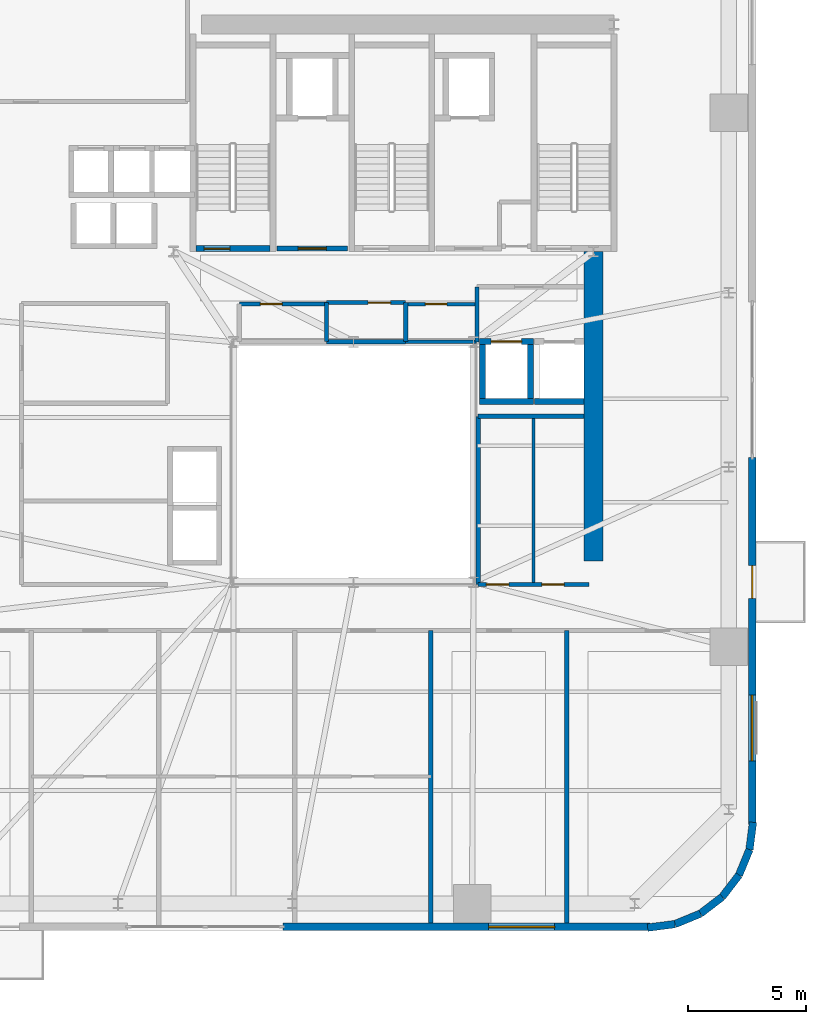
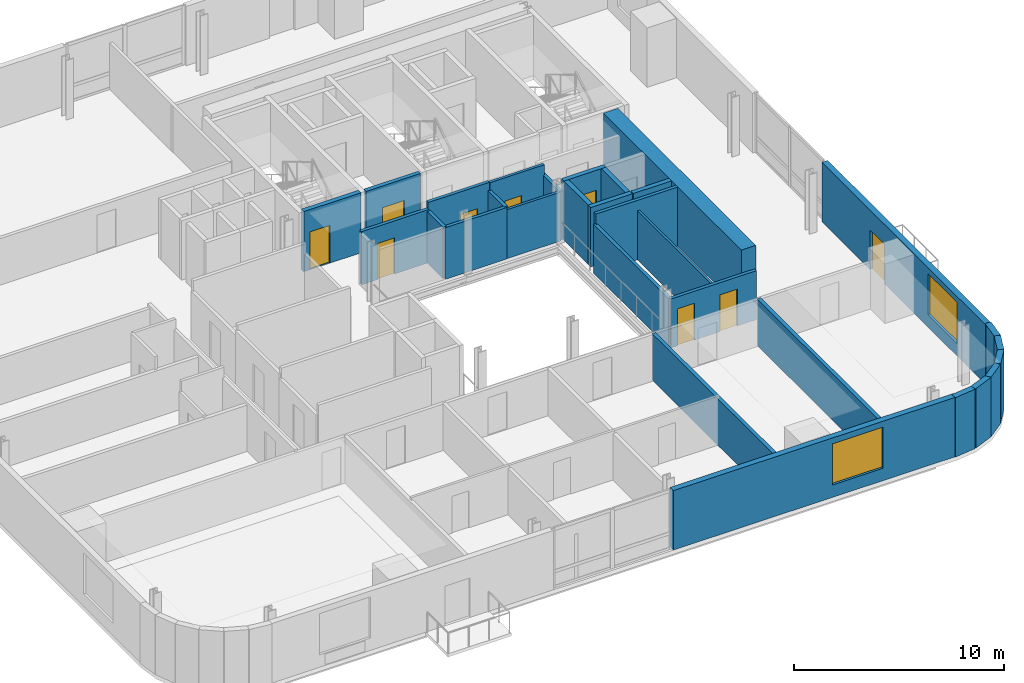
# One storey, part 7 of 14: 30 walls, 9 doors, 2 windows, 11 openings.
"""IFC4 building model written with IfcOpenShell, lengths in metres."""

from ifc_helpers import new_model, si_unit, direction, frame, frame_2d, origin, place, context, subcontext, project, spatial, rectangle, extrude, source, transform, mapped, material, layer, layer_set, type_object, element, fill, save


model = new_model("IFC4")

# Units and contexts
model_context = context("Model", 3, precision=1e-05, world=origin(), true_north=direction((0.0, 1.0)))
body_context = subcontext(model_context, "Body", "Model", "MODEL_VIEW")
ifc_project = project(units=[si_unit("LENGTHUNIT", "METRE"), si_unit("AREAUNIT", "SQUARE_METRE"), si_unit("VOLUMEUNIT", "CUBIC_METRE"), si_unit("PLANEANGLEUNIT", "RADIAN"), si_unit("MASSUNIT", "GRAM", prefix="KILO")], contexts=[model_context])

# Site, building, storey
site_placement = place(None, origin())
site = spatial("IfcSite", under=ifc_project, at=site_placement, CompositionType="ELEMENT")
building_placement = place(site_placement, origin())
building = spatial("IfcBuilding", under=site, at=building_placement, Name="Vardaveli Station Tower", CompositionType="ELEMENT")
storey_placement = place(building_placement, frame((0.0, 0.0, 148.300048828125)))
storey = spatial("IfcBuildingStorey", under=building, at=storey_placement, Name="L38", CompositionType="ELEMENT", Elevation=148.300048828125)

# Wall
ifc_material_1 = material(Name="Concrete C50/60", Category="concrete")
ifc_layer_1 = layer(ifc_material_1, 0.800048828125, Name="Concrete C50/60")
ifc_layer_set_1 = layer_set([ifc_layer_1], Name="Concrete C50/60")
wall_type_1 = type_object("IfcWallType", Name="WAL-CORE-800", PredefinedType="SHEAR", material=ifc_layer_set_1)
shared_shape_1 = source(origin(), body_context, "Body", "SweptSolid", [
    extrude(rectangle(XDim=13.14990234375, YDim=0.800048828125, at=frame_2d((6.574951171875, 0.0))), origin(), (0.0, 0.0, 1.0), 3.4599609375),
])
wall_1_placement = place(storey_placement, frame((46.5, 17.5, 0.0), z_axis=(0.0, 0.0, 1.0), x_axis=(0.0, 1.0, 0.0)))
element("IfcWall", 1, at=wall_1_placement, inside=storey, type_object=wall_type_1, Name="SW-L38-EAST2", PredefinedType="SHEAR", context=body_context, shape_type="MappedRepresentation", body=[
    mapped(shared_shape_1, transform((0.0, 0.0, 0.0), scale=1.0)),
])

# Wall, opening, window
ifc_material_2 = material(Name="Precast concrete C45/55", Category="concrete")
ifc_layer_2 = layer(ifc_material_2, 0.320068359375, Name="Precast concrete C45/55")
ifc_layer_set_2 = layer_set([ifc_layer_2], Name="Precast concrete C45/55")
wall_type_2 = type_object("IfcWallType", Name="WAL-EXT-STONE-320", PredefinedType="SOLIDWALL", material=ifc_layer_set_2)
shared_shape_2 = source(origin(), body_context, "Body", "SweptSolid", [
    extrude(rectangle(XDim=15.599853515625, YDim=0.320068359375, at=frame_2d((7.7998046875, 0.0))), origin(), (0.0, 0.0, 1.0), 3.4599609375),
])
wall_2_placement = place(storey_placement, frame((33.300048828125, 1.9599609375, 0.0), z_axis=(0.0, 0.0, 1.0), x_axis=(1.0, 0.0, 0.0)))
wall_2 = element("IfcWall", 2, at=wall_2_placement, inside=storey, type_object=wall_type_2, Name="EW-L38-S2", PredefinedType="SOLIDWALL", context=body_context, shape_type="MappedRepresentation", body=[
    mapped(shared_shape_2, transform((0.0, 0.0, 0.0), scale=1.0)),
])
shared_shape_3 = source(origin(), body_context, "Body", "SweptSolid", [
    extrude(rectangle(XDim=2.800048828125, YDim=2.39990234375, at=frame_2d((1.39990234375, 1.199951171875))), frame((0.0, 0.169921875, 0.0), z_axis=(0.0, -1.0, 0.0), x_axis=(1.0, 0.0, 0.0)), (0.0, 0.0, 1.0), 0.340087890625),
])
opening_1_placement = place(wall_2_placement, frame((8.7451171875, 0.0, 0.719970703125)))
opening_1 = element("IfcOpeningElement", 3, at=opening_1_placement, cuts=wall_2, Name="Opening W-04", PredefinedType="OPENING", context=body_context, shape_type="MappedRepresentation", body=[
    mapped(shared_shape_3, transform((0.0, 0.0, 0.0), scale=1.0)),
])
ifc_material_3 = material(Name="Low-E solar-control glass", Category="glass")
window_type = type_object("IfcWindowType", Name="WIN-SUITE-2800x2400", PartitioningType="SINGLE_PANEL", PredefinedType="WINDOW", material=ifc_material_3)
shared_shape_4 = source(origin(), body_context, "Body", "SweptSolid", [
    extrude(rectangle(XDim=2.800048828125, YDim=2.39990234375, at=frame_2d((1.39990234375, 1.199951171875))), frame((0.0, 0.030029296875, 0.0), z_axis=(0.0, -1.0, 0.0), x_axis=(1.0, 0.0, 0.0)), (0.0, 0.0, 1.0), 0.06005859375),
])
window_1_placement = place(opening_1_placement, origin())
window_1 = element("IfcWindow", 4, at=window_1_placement, inside=storey, type_object=window_type, Name="WN-L38-S2", OverallHeight=2.39990234375, OverallWidth=2.800048828125, PartitioningType="SINGLE_PANEL", PredefinedType="WINDOW", context=body_context, shape_type="MappedRepresentation", body=[
    mapped(shared_shape_4, transform((0.0, 0.0, 0.0), scale=1.0)),
])
fill(opening_1, window_1)

# Wall, openings, door, window
wall_3_placement = place(storey_placement, frame((53.239990234375, 6.300048828125, 0.0), z_axis=(0.0, 0.0, 1.0), x_axis=(0.0, 1.0, 0.0)))
wall_3 = element("IfcWall", 5, at=wall_3_placement, inside=storey, type_object=wall_type_2, Name="EW-L38-E1", PredefinedType="SOLIDWALL", context=body_context, shape_type="MappedRepresentation", body=[
    mapped(shared_shape_2, transform((0.0, 0.0, 0.0), scale=1.0)),
])
shared_shape_5 = source(origin(), body_context, "Body", "SweptSolid", [
    extrude(rectangle(XDim=1.39990234375, YDim=2.300048828125, at=frame_2d((0.699951171875, 1.14990234375))), frame((0.0, 0.169921875, 0.0), z_axis=(0.0, -1.0, 0.0), x_axis=(1.0, 0.0, 0.0)), (0.0, 0.0, 1.0), 0.340087890625),
])
opening_2_placement = place(wall_3_placement, frame((9.6103515625, 0.0, 0.0)))
opening_2 = element("IfcOpeningElement", 6, at=opening_2_placement, cuts=wall_3, Name="Opening D-09", PredefinedType="OPENING", context=body_context, shape_type="MappedRepresentation", body=[
    mapped(shared_shape_5, transform((0.0, 0.0, 0.0), scale=1.0)),
])
opening_3_placement = place(wall_3_placement, frame((2.705078125, 0.0, 0.719970703125)))
opening_3 = element("IfcOpeningElement", 7, at=opening_3_placement, cuts=wall_3, Name="Opening W-04", PredefinedType="OPENING", context=body_context, shape_type="MappedRepresentation", body=[
    mapped(shared_shape_3, transform((0.0, 0.0, 0.0), scale=1.0)),
])
ifc_material_4 = material(Name="Thermally broken aluminium glass", Category="aluminium")
door_type_1 = type_object("IfcDoorType", Name="DR-LOG-1400x2300", OperationType="DOUBLE_DOOR_SLIDING", PredefinedType="DOOR", material=ifc_material_4)
shared_shape_6 = source(origin(), body_context, "Body", "SweptSolid", [
    extrude(rectangle(XDim=1.39990234375, YDim=2.300048828125, at=frame_2d((0.699951171875, 1.14990234375))), frame((0.0, 0.02490234375, 0.0), z_axis=(0.0, -1.0, 0.0), x_axis=(1.0, 0.0, 0.0)), (0.0, 0.0, 1.0), 0.050048828125),
])
door_1_placement = place(opening_2_placement, frame((1.39990234375, 0.0, 0.0), z_axis=(0.0, 0.0, 1.0), x_axis=(-1.0, 0.0, 0.0)))
door_1 = element("IfcDoor", 8, at=door_1_placement, inside=storey, type_object=door_type_1, Name="DLG-L38-E", OperationType="DOUBLE_DOOR_SLIDING", OverallHeight=2.300048828125, OverallWidth=1.39990234375, PredefinedType="DOOR", context=body_context, shape_type="MappedRepresentation", body=[
    mapped(shared_shape_6, transform((0.0, 0.0, 0.0), scale=1.0)),
])
fill(opening_2, door_1)
window_2_placement = place(opening_3_placement, origin())
window_2 = element("IfcWindow", 9, at=window_2_placement, inside=storey, type_object=window_type, Name="WN-L38-E1", OverallHeight=2.39990234375, OverallWidth=2.800048828125, PartitioningType="SINGLE_PANEL", PredefinedType="WINDOW", context=body_context, shape_type="MappedRepresentation", body=[
    mapped(shared_shape_4, transform((0.0, 0.0, 0.0), scale=1.0)),
])
fill(opening_3, window_2)

# Walls
shared_shape_7 = source(origin(), body_context, "Body", "SweptSolid", [
    extrude(rectangle(XDim=1.170654296875, YDim=0.320068359375, at=frame_2d((0.58544921875, 0.0))), origin(), (0.0, 0.0, 1.0), 3.4599609375),
])
wall_4_placement = place(storey_placement, frame((53.12548828125, 5.23974609375, 0.0), z_axis=(0.0, 0.0, 1.0), x_axis=(0.128269133229, 0.991739395941, 0.0)))
element("IfcWall", 10, at=wall_4_placement, inside=storey, type_object=wall_type_2, Name="EW-L38-CR2-6", PredefinedType="SOLIDWALL", context=body_context, shape_type="MappedRepresentation", body=[
    mapped(shared_shape_7, transform((0.0, 0.0, 0.0), scale=1.0)),
])
shared_shape_8 = source(origin(), body_context, "Body", "SweptSolid", [
    extrude(rectangle(XDim=1.1689453125, YDim=0.320068359375, at=frame_2d((0.58447265625, 0.0))), origin(), (0.0, 0.0, 1.0), 3.4599609375),
])
for number, where, z_axis, x_axis, name in (
    (11, (51.96875, 3.231201171875, 0.0), (0.0, 0.0, 1.0), (0.608387696831, 0.793639975269, 0.0), "EW-L38-CR2-4"),
    (12, (52.679931640625, 4.158935546875, 0.0), (0.0, 0.0, 1.0), (0.381127904695, 0.924522320046, 0.0), "EW-L38-CR2-5"),
):
    element("IfcWall", number, at=place(storey_placement, frame(where, z_axis=z_axis, x_axis=x_axis)), inside=storey, type_object=wall_type_2, Name=name, PredefinedType="SOLIDWALL", context=body_context, shape_type="MappedRepresentation", body=[
        mapped(shared_shape_8, transform((0.0, 0.0, 0.0), scale=1.0)),
    ])
shared_shape_9 = source(origin(), body_context, "Body", "SweptSolid", [
    extrude(rectangle(XDim=1.168701171875, YDim=0.320068359375, at=frame_2d((0.58447265625, 0.0))), origin(), (0.0, 0.0, 1.0), 3.4599609375),
])
wall_5_placement = place(storey_placement, frame((51.041259765625, 2.520263671875, 0.0), z_axis=(0.0, 0.0, 1.0), x_axis=(0.793663520347, 0.608356981114, 0.0)))
element("IfcWall", 13, at=wall_5_placement, inside=storey, type_object=wall_type_2, Name="EW-L38-CR2-3", PredefinedType="SOLIDWALL", context=body_context, shape_type="MappedRepresentation", body=[
    mapped(shared_shape_9, transform((0.0, 0.0, 0.0), scale=1.0)),
])
shared_shape_10 = source(origin(), body_context, "Body", "SweptSolid", [
    extrude(rectangle(XDim=1.16943359375, YDim=0.320068359375, at=frame_2d((0.584716796875, 0.0))), origin(), (0.0, 0.0, 1.0), 3.4599609375),
])
wall_6_placement = place(storey_placement, frame((49.960205078125, 2.074462890625, 0.0), z_axis=(0.0, 0.0, 1.0), x_axis=(0.924479075121, 0.381232789334, 0.0)))
element("IfcWall", 14, at=wall_6_placement, inside=storey, type_object=wall_type_2, Name="EW-L38-CR2-2", PredefinedType="SOLIDWALL", context=body_context, shape_type="MappedRepresentation", body=[
    mapped(shared_shape_10, transform((0.0, 0.0, 0.0), scale=1.0)),
])
shared_shape_11 = source(origin(), body_context, "Body", "SweptSolid", [
    extrude(rectangle(XDim=1.170166015625, YDim=0.320068359375, at=frame_2d((0.5849609375, 0.0))), origin(), (0.0, 0.0, 1.0), 3.4599609375),
])
wall_7_placement = place(storey_placement, frame((48.799560546875, 1.924560546875, 0.0), z_axis=(0.0, 0.0, 1.0), x_axis=(0.991762485493, 0.128090485085, 0.0)))
element("IfcWall", 15, at=wall_7_placement, inside=storey, type_object=wall_type_2, Name="EW-L38-CR2-1", PredefinedType="SOLIDWALL", context=body_context, shape_type="MappedRepresentation", body=[
    mapped(shared_shape_11, transform((0.0, 0.0, 0.0), scale=1.0)),
])

# Wall, opening, door
ifc_material_5 = material(Name="Concrete C40/50", Category="concrete")
ifc_layer_3 = layer(ifc_material_5, 0.25, Name="Concrete C40/50")
ifc_layer_set_3 = layer_set([ifc_layer_3], Name="Concrete C40/50")
wall_type_3 = type_object("IfcWallType", Name="WAL-SHAFT-250", PredefinedType="SOLIDWALL", material=ifc_layer_set_3)
shared_shape_12 = source(origin(), body_context, "Body", "SweptSolid", [
    extrude(rectangle(XDim=3.14990234375, YDim=0.25, at=frame_2d((1.574951171875, 0.0))), origin(), (0.0, 0.0, 1.0), 3.5),
])
wall_8_placement = place(storey_placement, frame((29.60009765625, 30.77490234375, 0.0), z_axis=(0.0, 0.0, 1.0), x_axis=(1.0, 0.0, 0.0)))
wall_8 = element("IfcWall", 16, at=wall_8_placement, inside=storey, type_object=wall_type_3, Name="W-L38-ST-1S", PredefinedType="SOLIDWALL", context=body_context, shape_type="MappedRepresentation", body=[
    mapped(shared_shape_12, transform((0.0, 0.0, 0.0), scale=1.0)),
])
shared_shape_13 = source(origin(), body_context, "Body", "SweptSolid", [
    extrude(rectangle(XDim=1.10009765625, YDim=2.199951171875, at=frame_2d((0.550048828125, 1.10009765625))), frame((0.0, 0.135009765625, 0.0), z_axis=(0.0, -1.0, 0.0), x_axis=(1.0, 0.0, 0.0)), (0.0, 0.0, 1.0), 0.27001953125),
])
opening_4_placement = place(wall_8_placement, frame((0.35009765625, 0.0, 0.0)))
opening_4 = element("IfcOpeningElement", 17, at=opening_4_placement, cuts=wall_8, Name="Opening D-04", PredefinedType="OPENING", context=body_context, shape_type="MappedRepresentation", body=[
    mapped(shared_shape_13, transform((0.0, 0.0, 0.0), scale=1.0)),
])
ifc_material_6 = material(Name="Steel smokeproof fire doorset", Category="steel")
door_type_2 = type_object("IfcDoorType", Name="DR-ST-1100x2200", OperationType="NOTDEFINED", PredefinedType="DOOR", material=ifc_material_6)
shared_shape_14 = source(origin(), body_context, "Body", "SweptSolid", [
    extrude(rectangle(XDim=1.10009765625, YDim=2.199951171875, at=frame_2d((0.550048828125, 1.10009765625))), frame((0.0, 0.02490234375, 0.0), z_axis=(0.0, -1.0, 0.0), x_axis=(1.0, 0.0, 0.0)), (0.0, 0.0, 1.0), 0.050048828125),
])
door_2_placement = place(opening_4_placement, origin())
door_2 = element("IfcDoor", 18, at=door_2_placement, inside=storey, type_object=door_type_2, Name="DST-1-L38", OperationType="SINGLE_SWING_LEFT", OverallHeight=2.199951171875, OverallWidth=1.10009765625, PredefinedType="DOOR", context=body_context, shape_type="MappedRepresentation", body=[
    mapped(shared_shape_14, transform((0.0, 0.0, 0.0), scale=1.0)),
])
fill(opening_4, door_2)

ifc_layer_4 = layer(ifc_material_5, 0.219970703125, Name="Concrete C40/50")
ifc_layer_set_4 = layer_set([ifc_layer_4], Name="Concrete C40/50")
wall_type_4 = type_object("IfcWallType", Name="WAL-FFLOBBY-220", PredefinedType="SOLIDWALL", material=ifc_layer_set_4)
shared_shape_15 = source(origin(), body_context, "Body", "SweptSolid", [
    extrude(rectangle(XDim=3.0, YDim=0.219970703125, at=frame_2d((1.5, 0.0))), origin(), (0.0, 0.0, 1.0), 3.4599609375),
])
wall_9_placement = place(storey_placement, frame((33.050048828125, 30.780029296875, 0.0), z_axis=(0.0, 0.0, 1.0), x_axis=(1.0, 0.0, 0.0)))
wall_9 = element("IfcWall", 19, at=wall_9_placement, inside=storey, type_object=wall_type_4, Name="W-L38-FFL1S", PredefinedType="SOLIDWALL", context=body_context, shape_type="MappedRepresentation", body=[
    mapped(shared_shape_15, transform((0.0, 0.0, 0.0), scale=1.0)),
])
shared_shape_16 = source(origin(), body_context, "Body", "SweptSolid", [
    extrude(rectangle(XDim=1.199951171875, YDim=2.199951171875, at=frame_2d((0.60009765625, 1.10009765625))), frame((0.0, 0.1201171875, 0.0), z_axis=(0.0, -1.0, 0.0), x_axis=(1.0, 0.0, 0.0)), (0.0, 0.0, 1.0), 0.239990234375),
])
opening_5_placement = place(wall_9_placement, frame((0.89990234375, 0.0, 0.0)))
opening_5 = element("IfcOpeningElement", 20, at=opening_5_placement, cuts=wall_9, Name="Opening D-03", PredefinedType="OPENING", context=body_context, shape_type="MappedRepresentation", body=[
    mapped(shared_shape_16, transform((0.0, 0.0, 0.0), scale=1.0)),
])
door_type_3 = type_object("IfcDoorType", Name="DR-FFL-1200x2200", OperationType="NOTDEFINED", PredefinedType="DOOR", material=ifc_material_6)
shared_shape_17 = source(origin(), body_context, "Body", "SweptSolid", [
    extrude(rectangle(XDim=1.199951171875, YDim=2.199951171875, at=frame_2d((0.60009765625, 1.10009765625))), frame((0.0, 0.02490234375, 0.0), z_axis=(0.0, -1.0, 0.0), x_axis=(1.0, 0.0, 0.0)), (0.0, 0.0, 1.0), 0.050048828125),
])
door_3_placement = place(opening_5_placement, origin())
door_3 = element("IfcDoor", 21, at=door_3_placement, inside=storey, type_object=door_type_3, Name="DFFL1-L38", OperationType="SINGLE_SWING_LEFT", OverallHeight=2.199951171875, OverallWidth=1.199951171875, PredefinedType="DOOR", context=body_context, shape_type="MappedRepresentation", body=[
    mapped(shared_shape_17, transform((0.0, 0.0, 0.0), scale=1.0)),
])
fill(opening_5, door_3)

# Wall
shared_shape_18 = source(origin(), body_context, "Body", "SweptSolid", [
    extrude(rectangle(XDim=2.300048828125, YDim=0.25, at=frame_2d((1.14990234375, 0.0))), origin(), (0.0, 0.0, 1.0), 3.4599609375),
])
wall_10_placement = place(storey_placement, frame((41.64990234375, 24.27490234375, 0.0), z_axis=(0.0, 0.0, 1.0), x_axis=(1.0, 0.0, 0.0)))
element("IfcWall", 22, at=wall_10_placement, inside=storey, type_object=wall_type_3, Name="SHW-SRV-01-L38-S", PredefinedType="SOLIDWALL", context=body_context, shape_type="MappedRepresentation", body=[
    mapped(shared_shape_18, transform((0.0, 0.0, 0.0), scale=1.0)),
])

# Wall, opening, door
wall_11_placement = place(storey_placement, frame((41.64990234375, 26.824951171875, 0.0), z_axis=(0.0, 0.0, 1.0), x_axis=(1.0, 0.0, 0.0)))
wall_11 = element("IfcWall", 23, at=wall_11_placement, inside=storey, type_object=wall_type_3, Name="SHW-SRV-01-L38-N", PredefinedType="SOLIDWALL", context=body_context, shape_type="MappedRepresentation", body=[
    mapped(shared_shape_18, transform((0.0, 0.0, 0.0), scale=1.0)),
])
shared_shape_19 = source(origin(), body_context, "Body", "SweptSolid", [
    extrude(rectangle(XDim=1.300048828125, YDim=2.300048828125, at=frame_2d((0.64990234375, 1.14990234375))), frame((0.0, 0.135009765625, 0.0), z_axis=(0.0, -1.0, 0.0), x_axis=(1.0, 0.0, 0.0)), (0.0, 0.0, 1.0), 0.27001953125),
])
opening_6_placement = place(wall_11_placement, frame((0.5, 0.0, 0.0)))
opening_6 = element("IfcOpeningElement", 24, at=opening_6_placement, cuts=wall_11, Name="Opening LD-03", PredefinedType="OPENING", context=body_context, shape_type="MappedRepresentation", body=[
    mapped(shared_shape_19, transform((0.0, 0.0, 0.0), scale=1.0)),
])
ifc_material_7 = material(Name="Brushed stainless steel", Category="steel")
door_type_4 = type_object("IfcDoorType", Name="DR-LD-1300x2300", OperationType="DOUBLE_DOOR_SLIDING", PredefinedType="DOOR", material=ifc_material_7)
shared_shape_20 = source(origin(), body_context, "Body", "SweptSolid", [
    extrude(rectangle(XDim=1.300048828125, YDim=2.300048828125, at=frame_2d((0.64990234375, 1.14990234375))), frame((0.0, 0.02490234375, 0.0), z_axis=(0.0, -1.0, 0.0), x_axis=(1.0, 0.0, 0.0)), (0.0, 0.0, 1.0), 0.050048828125),
])
door_4_placement = place(opening_6_placement, origin())
door_4 = element("IfcDoor", 25, at=door_4_placement, inside=storey, type_object=door_type_4, Name="LD-SRV-01-L38", OperationType="DOUBLE_DOOR_SLIDING", OverallHeight=2.300048828125, OverallWidth=1.300048828125, PredefinedType="DOOR", context=body_context, shape_type="MappedRepresentation", body=[
    mapped(shared_shape_20, transform((0.0, 0.0, 0.0), scale=1.0)),
])
fill(opening_6, door_4)

# Walls
for number, where, z_axis, x_axis, name in (
    (26, (41.77490234375, 24.39990234375, 0.0), (0.0, 0.0, 1.0), (0.0, 1.0, 0.0), "SHW-SRV-01-L38-W"),
    (27, (43.824951171875, 24.39990234375, 0.0), (0.0, 0.0, 1.0), (0.0, 1.0, 0.0), "SHW-SRV-01-L38-E"),
):
    element("IfcWall", number, at=place(storey_placement, frame(where, z_axis=z_axis, x_axis=x_axis)), inside=storey, type_object=wall_type_3, Name=name, PredefinedType="SOLIDWALL", context=body_context, shape_type="MappedRepresentation", body=[
        mapped(shared_shape_18, transform((0.0, 0.0, 0.0), scale=1.0)),
    ])
shared_shape_21 = source(origin(), body_context, "Body", "SweptSolid", [
    extrude(rectangle(XDim=2.10009765625, YDim=0.25, at=frame_2d((1.050048828125, 0.0))), origin(), (0.0, 0.0, 1.0), 3.4599609375),
])
wall_12_placement = place(storey_placement, frame((44.0, 24.27490234375, 0.0), z_axis=(0.0, 0.0, 1.0), x_axis=(1.0, 0.0, 0.0)))
element("IfcWall", 28, at=wall_12_placement, inside=storey, type_object=wall_type_3, Name="SHW-SRV-02-L38-S", PredefinedType="SOLIDWALL", context=body_context, shape_type="MappedRepresentation", body=[
    mapped(shared_shape_21, transform((0.0, 0.0, 0.0), scale=1.0)),
])

# Wall, openings, doors
ifc_material_8 = material(Name="Fire-rated gypsum stud partition")
ifc_layer_5 = layer(ifc_material_8, 0.179931640625, Name="Fire-rated gypsum stud partition")
ifc_layer_set_5 = layer_set([ifc_layer_5], Name="Fire-rated gypsum stud partition")
wall_type_5 = type_object("IfcWallType", Name="WAL-CORR-180", PredefinedType="PARTITIONING", material=ifc_layer_set_5)
shared_shape_22 = source(origin(), body_context, "Body", "SweptSolid", [
    extrude(rectangle(XDim=4.699951171875, YDim=0.179931640625, at=frame_2d((2.35009765625, 0.0))), origin(), (0.0, 0.0, 1.0), 2.85205078125),
])
wall_13_placement = place(storey_placement, frame((41.60009765625, 16.5, 0.0), z_axis=(0.0, 0.0, 1.0), x_axis=(1.0, 0.0, 0.0)))
wall_13 = element("IfcWall", 29, at=wall_13_placement, inside=storey, type_object=wall_type_5, Name="W-L38-ATE-S", PredefinedType="PARTITIONING", context=body_context, shape_type="MappedRepresentation", body=[
    mapped(shared_shape_22, transform((0.0, 0.0, 0.0), scale=1.0)),
])
shared_shape_23 = source(origin(), body_context, "Body", "SweptSolid", [
    extrude(rectangle(XDim=0.949951171875, YDim=2.14990234375, at=frame_2d((0.47509765625, 1.074951171875))), frame((0.0, 0.10009765625, 0.0), z_axis=(0.0, -1.0, 0.0), x_axis=(1.0, 0.0, 0.0)), (0.0, 0.0, 1.0), 0.199951171875),
])
opening_7_placement = place(wall_13_placement, frame((0.35009765625, 0.0, 0.0)))
opening_7 = element("IfcOpeningElement", 30, at=opening_7_placement, cuts=wall_13, Name="Opening D-11", PredefinedType="OPENING", context=body_context, shape_type="MappedRepresentation", body=[
    mapped(shared_shape_23, transform((0.0, 0.0, 0.0), scale=1.0)),
])
opening_8_placement = place(wall_13_placement, frame((2.699951171875, 0.0, 0.0)))
opening_8 = element("IfcOpeningElement", 31, at=opening_8_placement, cuts=wall_13, Name="Opening D-11", PredefinedType="OPENING", context=body_context, shape_type="MappedRepresentation", body=[
    mapped(shared_shape_23, transform((0.0, 0.0, 0.0), scale=1.0)),
])
ifc_material_9 = material(Name="Oak veneer internal suite door")
door_type_5 = type_object("IfcDoorType", Name="DR-INT-950x2150", OperationType="NOTDEFINED", PredefinedType="DOOR", material=ifc_material_9)
shared_shape_24 = source(origin(), body_context, "Body", "SweptSolid", [
    extrude(rectangle(XDim=0.949951171875, YDim=2.14990234375, at=frame_2d((0.47509765625, 1.074951171875))), frame((0.0, 0.02490234375, 0.0), z_axis=(0.0, -1.0, 0.0), x_axis=(1.0, 0.0, 0.0)), (0.0, 0.0, 1.0), 0.050048828125),
])
door_5_placement = place(opening_7_placement, origin())
door_5 = element("IfcDoor", 32, at=door_5_placement, inside=storey, type_object=door_type_5, Name="D-L38-ATE1", OperationType="SINGLE_SWING_RIGHT", OverallHeight=2.14990234375, OverallWidth=0.949951171875, PredefinedType="DOOR", context=body_context, shape_type="MappedRepresentation", body=[
    mapped(shared_shape_24, transform((0.0, 0.0, 0.0), scale=1.0)),
])
fill(opening_7, door_5)
door_6_placement = place(opening_8_placement, origin())
door_6 = element("IfcDoor", 33, at=door_6_placement, inside=storey, type_object=door_type_5, Name="D-L38-ATE2", OperationType="SINGLE_SWING_RIGHT", OverallHeight=2.14990234375, OverallWidth=0.949951171875, PredefinedType="DOOR", context=body_context, shape_type="MappedRepresentation", body=[
    mapped(shared_shape_24, transform((0.0, 0.0, 0.0), scale=1.0)),
])
fill(opening_8, door_6)

# Walls
ifc_material_10 = material(Name="Acoustic twin-stud gypsum partition")
ifc_layer_6 = layer(ifc_material_10, 0.199951171875, Name="Acoustic twin-stud gypsum partition")
ifc_layer_set_6 = layer_set([ifc_layer_6], Name="Acoustic twin-stud gypsum partition")
wall_type_6 = type_object("IfcWallType", Name="WAL-PARTY-200", PredefinedType="PARTITIONING", material=ifc_layer_set_6)
shared_shape_25 = source(origin(), body_context, "Body", "SweptSolid", [
    extrude(rectangle(XDim=12.427978515625, YDim=0.199951171875, at=frame_2d((6.2138671875, 0.0))), origin(), (0.0, 0.0, 1.0), 2.701904296875),
])
for number, where, z_axis, x_axis, name in (
    (34, (39.5869140625, 2.1220703125, 0.0), (0.0, 0.0, 1.0), (0.0, 1.0, 0.0), "W-L38-PS4"),
    (35, (45.366943359375, 2.1220703125, 0.0), (0.0, 0.0, 1.0), (0.0, 1.0, 0.0), "W-L38-PS5"),
):
    element("IfcWall", number, at=place(storey_placement, frame(where, z_axis=z_axis, x_axis=x_axis)), inside=storey, type_object=wall_type_6, Name=name, PredefinedType="PARTITIONING", context=body_context, shape_type="MappedRepresentation", body=[
        mapped(shared_shape_25, transform((0.0, 0.0, 0.0), scale=1.0)),
    ])
shared_shape_26 = source(origin(), body_context, "Body", "SweptSolid", [
    extrude(rectangle(XDim=7.14990234375, YDim=0.179931640625, at=frame_2d((3.574951171875, 0.0))), origin(), (0.0, 0.0, 1.0), 2.85205078125),
])
wall_14_placement = place(storey_placement, frame((41.60009765625, 16.5, 0.0), z_axis=(0.0, 0.0, 1.0), x_axis=(0.0, 1.0, 0.0)))
element("IfcWall", 36, at=wall_14_placement, inside=storey, type_object=wall_type_5, Name="W-L38-ATE-W", PredefinedType="PARTITIONING", context=body_context, shape_type="MappedRepresentation", body=[
    mapped(shared_shape_26, transform((0.0, 0.0, 0.0), scale=1.0)),
])
ifc_material_11 = material(Name="Gypsum board stud partition")
ifc_layer_7 = layer(ifc_material_11, 0.125, Name="Gypsum board stud partition")
ifc_layer_set_7 = layer_set([ifc_layer_7], Name="Gypsum board stud partition")
wall_type_7 = type_object("IfcWallType", Name="WAL-INT-125", PredefinedType="PARTITIONING", material=ifc_layer_set_7)
shared_shape_27 = source(origin(), body_context, "Body", "SweptSolid", [
    extrude(rectangle(XDim=7.14990234375, YDim=0.125, at=frame_2d((3.574951171875, 0.0))), origin(), (0.0, 0.0, 1.0), 2.85205078125),
])
wall_15_placement = place(storey_placement, frame((43.949951171875, 16.5, 0.0), z_axis=(0.0, 0.0, 1.0), x_axis=(0.0, 1.0, 0.0)))
element("IfcWall", 37, at=wall_15_placement, inside=storey, type_object=wall_type_7, Name="W-L38-ATEM", PredefinedType="PARTITIONING", context=body_context, shape_type="MappedRepresentation", body=[
    mapped(shared_shape_27, transform((0.0, 0.0, 0.0), scale=1.0)),
])
shared_shape_28 = source(origin(), body_context, "Body", "SweptSolid", [
    extrude(rectangle(XDim=4.497802734375, YDim=0.179931640625, at=frame_2d((2.2490234375, 0.0))), origin(), (0.0, 0.0, 1.0), 3.4599609375),
])
wall_16_placement = place(storey_placement, frame((41.60009765625, 23.64990234375, 0.0), z_axis=(0.0, 0.0, 1.0), x_axis=(1.0, 0.0, 0.0)))
element("IfcWall", 38, at=wall_16_placement, inside=storey, type_object=wall_type_5, Name="W-L38-ATE-N", PredefinedType="PARTITIONING", context=body_context, shape_type="MappedRepresentation", body=[
    mapped(shared_shape_28, transform((0.0, 0.0, 0.0), scale=1.0)),
])
shared_shape_29 = source(origin(), body_context, "Body", "SweptSolid", [
    extrude(rectangle(XDim=2.349853515625, YDim=0.179931640625, at=frame_2d((1.1748046875, 0.0))), origin(), (0.0, 0.0, 1.0), 2.85205078125),
])
wall_17_placement = place(storey_placement, frame((41.550048828125, 26.800048828125, 0.0), z_axis=(0.0, 0.0, 1.0), x_axis=(0.0, 1.0, 0.0)))
element("IfcWall", 39, at=wall_17_placement, inside=storey, type_object=wall_type_5, Name="W-L38-SVFW", PredefinedType="PARTITIONING", context=body_context, shape_type="MappedRepresentation", body=[
    mapped(shared_shape_29, transform((0.0, 0.0, 0.0), scale=1.0)),
])

# Wall, opening, door
shared_shape_30 = source(origin(), body_context, "Body", "SweptSolid", [
    extrude(rectangle(XDim=3.699951171875, YDim=0.179931640625, at=frame_2d((1.85009765625, 0.0))), origin(), (0.0, 0.0, 1.0), 3.092041015625),
])
wall_18_placement = place(storey_placement, frame((31.449951171875, 28.419921875, 0.0), z_axis=(0.0, 0.0, 1.0), x_axis=(1.0, 0.0, 0.0)))
wall_18 = element("IfcWall", 40, at=wall_18_placement, inside=storey, type_object=wall_type_5, Name="W-L38-CS2A-N", PredefinedType="PARTITIONING", context=body_context, shape_type="MappedRepresentation", body=[
    mapped(shared_shape_30, transform((0.0, 0.0, 0.0), scale=1.0)),
])
shared_shape_31 = source(origin(), body_context, "Body", "SweptSolid", [
    extrude(rectangle(XDim=0.919921875, YDim=2.10009765625, at=frame_2d((0.4599609375, 1.050048828125))), frame((0.0, 0.10009765625, 0.0), z_axis=(0.0, -1.0, 0.0), x_axis=(1.0, 0.0, 0.0)), (0.0, 0.0, 1.0), 0.199951171875),
])
opening_9_placement = place(wall_18_placement, frame((0.89990234375, 0.0, 0.0)))
opening_9 = element("IfcOpeningElement", 41, at=opening_9_placement, cuts=wall_18, Name="Opening D-07", PredefinedType="OPENING", context=body_context, shape_type="MappedRepresentation", body=[
    mapped(shared_shape_31, transform((0.0, 0.0, 0.0), scale=1.0)),
])
ifc_material_12 = material(Name="Moisture-resistant hardwood door", Category="wood")
door_type_6 = type_object("IfcDoorType", Name="DR-WC-920x2100", OperationType="NOTDEFINED", PredefinedType="DOOR", material=ifc_material_12)
shared_shape_32 = source(origin(), body_context, "Body", "SweptSolid", [
    extrude(rectangle(XDim=0.919921875, YDim=2.10009765625, at=frame_2d((0.4599609375, 1.050048828125))), frame((0.0, 0.02490234375, 0.0), z_axis=(0.0, -1.0, 0.0), x_axis=(1.0, 0.0, 0.0)), (0.0, 0.0, 1.0), 0.050048828125),
])
door_7_placement = place(opening_9_placement, origin())
door_7 = element("IfcDoor", 42, at=door_7_placement, inside=storey, type_object=door_type_6, Name="D-L38-CS2A", OperationType="SINGLE_SWING_LEFT", OverallHeight=2.10009765625, OverallWidth=0.919921875, PredefinedType="DOOR", context=body_context, shape_type="MappedRepresentation", body=[
    mapped(shared_shape_32, transform((0.0, 0.0, 0.0), scale=1.0)),
])
fill(opening_9, door_7)

shared_shape_33 = source(origin(), body_context, "Body", "SweptSolid", [
    extrude(rectangle(XDim=3.3701171875, YDim=0.179931640625, at=frame_2d((1.68505859375, 0.0))), origin(), (0.0, 0.0, 1.0), 3.4599609375),
])
wall_19_placement = place(storey_placement, frame((35.14990234375, 28.47998046875, 0.0), z_axis=(0.0, 0.0, 1.0), x_axis=(1.0, 0.0, 0.0)))
wall_19 = element("IfcWall", 43, at=wall_19_placement, inside=storey, type_object=wall_type_5, Name="W-L38-HKP2-N", PredefinedType="PARTITIONING", context=body_context, shape_type="MappedRepresentation", body=[
    mapped(shared_shape_33, transform((0.0, 0.0, 0.0), scale=1.0)),
])
opening_10_placement = place(wall_19_placement, frame((1.77490234375, 0.0, 0.0)))
opening_10 = element("IfcOpeningElement", 44, at=opening_10_placement, cuts=wall_19, Name="Opening D-06", PredefinedType="OPENING", context=body_context, shape_type="MappedRepresentation", body=[
    mapped(shared_shape_23, transform((0.0, 0.0, 0.0), scale=1.0)),
])
ifc_material_13 = material(Name="Oak veneer acoustic fire door")
door_type_7 = type_object("IfcDoorType", Name="DR-GUEST-950x2150", OperationType="NOTDEFINED", PredefinedType="DOOR", material=ifc_material_13)
door_8_placement = place(opening_10_placement, origin())
door_8 = element("IfcDoor", 45, at=door_8_placement, inside=storey, type_object=door_type_7, Name="D-L38-HKP", OperationType="SINGLE_SWING_LEFT", OverallHeight=2.14990234375, OverallWidth=0.949951171875, PredefinedType="DOOR", context=body_context, shape_type="MappedRepresentation", body=[
    mapped(shared_shape_24, transform((0.0, 0.0, 0.0), scale=1.0)),
])
fill(opening_10, door_8)

ifc_material_14 = material(Name="Moisture-resistant stud partition")
ifc_layer_8 = layer(ifc_material_14, 0.14990234375, Name="Moisture-resistant stud partition")
ifc_layer_set_8 = layer_set([ifc_layer_8], Name="Moisture-resistant stud partition")
wall_type_8 = type_object("IfcWallType", Name="WAL-WET-150", PredefinedType="PARTITIONING", material=ifc_layer_set_8)
shared_shape_34 = source(origin(), body_context, "Body", "SweptSolid", [
    extrude(rectangle(XDim=3.0, YDim=0.14990234375, at=frame_2d((1.5, 0.0))), origin(), (0.0, 0.0, 1.0), 3.4599609375),
])
wall_20_placement = place(storey_placement, frame((38.52001953125, 28.419921875, 0.0), z_axis=(0.0, 0.0, 1.0), x_axis=(1.0, 0.0, 0.0)))
wall_20 = element("IfcWall", 46, at=wall_20_placement, inside=storey, type_object=wall_type_8, Name="W-L38-WCA2-N", PredefinedType="PARTITIONING", context=body_context, shape_type="MappedRepresentation", body=[
    mapped(shared_shape_34, transform((0.0, 0.0, 0.0), scale=1.0)),
])
shared_shape_35 = source(origin(), body_context, "Body", "SweptSolid", [
    extrude(rectangle(XDim=0.919921875, YDim=2.10009765625, at=frame_2d((0.4599609375, 1.050048828125))), frame((0.0, 0.0849609375, 0.0), z_axis=(0.0, -1.0, 0.0), x_axis=(1.0, 0.0, 0.0)), (0.0, 0.0, 1.0), 0.169921875),
])
opening_11_placement = place(wall_20_placement, frame((0.830078125, 0.0, 0.0)))
opening_11 = element("IfcOpeningElement", 47, at=opening_11_placement, cuts=wall_20, Name="Opening D-07", PredefinedType="OPENING", context=body_context, shape_type="MappedRepresentation", body=[
    mapped(shared_shape_35, transform((0.0, 0.0, 0.0), scale=1.0)),
])
door_9_placement = place(opening_11_placement, origin())
door_9 = element("IfcDoor", 48, at=door_9_placement, inside=storey, type_object=door_type_6, Name="D-L38-WCA", OperationType="SINGLE_SWING_LEFT", OverallHeight=2.10009765625, OverallWidth=0.919921875, PredefinedType="DOOR", context=body_context, shape_type="MappedRepresentation", body=[
    mapped(shared_shape_32, transform((0.0, 0.0, 0.0), scale=1.0)),
])
fill(opening_11, door_9)

# Walls
shared_shape_36 = source(origin(), body_context, "Body", "SweptSolid", [
    extrude(rectangle(XDim=3.3701171875, YDim=0.179931640625, at=frame_2d((1.68505859375, 0.0))), origin(), (0.0, 0.0, 1.0), 3.001953125),
])
wall_21_placement = place(storey_placement, frame((35.14990234375, 26.820068359375, 0.0), z_axis=(0.0, 0.0, 1.0), x_axis=(1.0, 0.0, 0.0)))
element("IfcWall", 49, at=wall_21_placement, inside=storey, type_object=wall_type_5, Name="W-L38-HKP2-S", PredefinedType="PARTITIONING", context=body_context, shape_type="MappedRepresentation", body=[
    mapped(shared_shape_36, transform((0.0, 0.0, 0.0), scale=1.0)),
])
shared_shape_37 = source(origin(), body_context, "Body", "SweptSolid", [
    extrude(rectangle(XDim=3.0, YDim=0.14990234375, at=frame_2d((1.5, 0.0))), origin(), (0.0, 0.0, 1.0), 2.85205078125),
])
wall_22_placement = place(storey_placement, frame((38.52001953125, 26.820068359375, 0.0), z_axis=(0.0, 0.0, 1.0), x_axis=(1.0, 0.0, 0.0)))
element("IfcWall", 50, at=wall_22_placement, inside=storey, type_object=wall_type_8, Name="W-L38-WCA2-S", PredefinedType="PARTITIONING", context=body_context, shape_type="MappedRepresentation", body=[
    mapped(shared_shape_37, transform((0.0, 0.0, 0.0), scale=1.0)),
])
shared_shape_38 = source(origin(), body_context, "Body", "SweptSolid", [
    extrude(rectangle(XDim=1.659912109375, YDim=0.179931640625, at=frame_2d((0.830078125, 0.0))), origin(), (0.0, 0.0, 1.0), 3.001953125),
])
for number, where, z_axis, x_axis, name in (
    (51, (35.14990234375, 26.820068359375, 0.0), (0.0, 0.0, 1.0), (0.0, 1.0, 0.0), "W-L38-HKP2-W"),
    (52, (38.52001953125, 26.820068359375, 0.0), (0.0, 0.0, 1.0), (0.0, 1.0, 0.0), "W-L38-HKP2-E"),
):
    element("IfcWall", number, at=place(storey_placement, frame(where, z_axis=z_axis, x_axis=x_axis)), inside=storey, type_object=wall_type_5, Name=name, PredefinedType="PARTITIONING", context=body_context, shape_type="MappedRepresentation", body=[
        mapped(shared_shape_38, transform((0.0, 0.0, 0.0), scale=1.0)),
    ])

save(model, "model.ifc")
